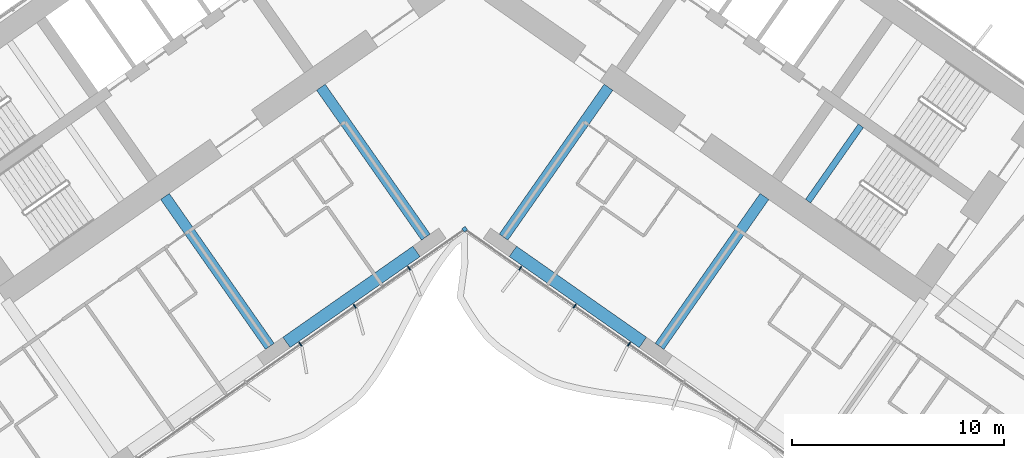
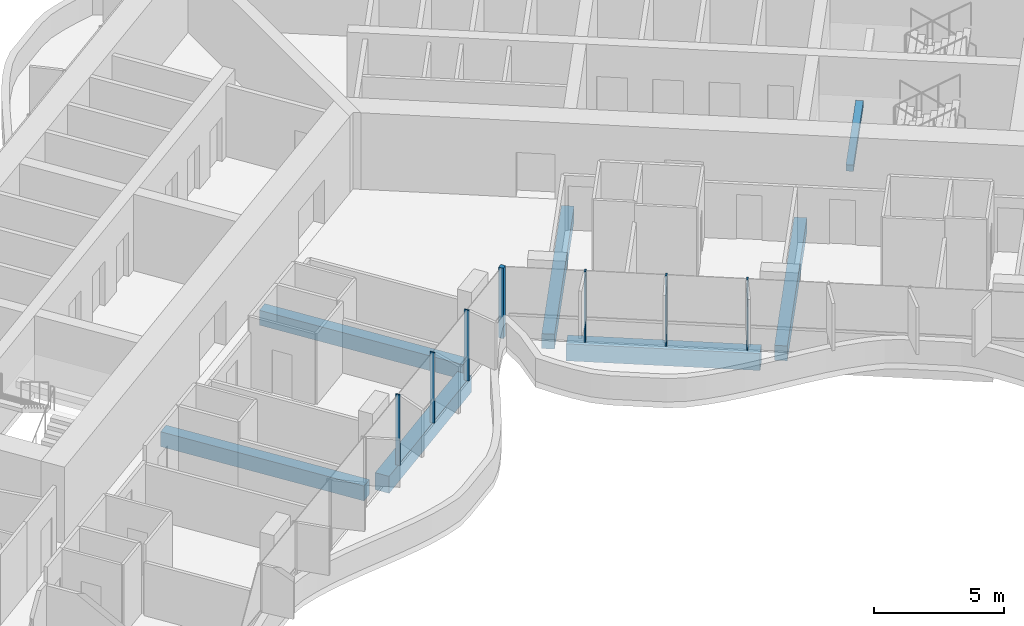
# One storey, part 6 of 25: 7 beams, 7 members, 1 element without a shape of its own.
"""IFC4 building model written with IfcOpenShell, lengths in metres."""

from ifc_helpers import new_model, si_unit, direction, frame, origin, origin_2d, place, context, subcontext, project, spatial, rectangle, extrude, material, material_profile, profile_set, type_object, element, aggregate, save


model = new_model("IFC4")

# Units and contexts
model_context = context("Model", 3, precision=1e-05, world=origin(), true_north=direction((0.0, 1.0)))
body_context = subcontext(model_context, "Body", "Model", "MODEL_VIEW")
ifc_project = project(units=[si_unit("LENGTHUNIT", "METRE"), si_unit("AREAUNIT", "SQUARE_METRE"), si_unit("VOLUMEUNIT", "CUBIC_METRE"), si_unit("PLANEANGLEUNIT", "RADIAN"), si_unit("MASSUNIT", "GRAM", prefix="KILO")], contexts=[model_context])

# Site, building, storey
site_placement = place(None, origin())
site = spatial("IfcSite", under=ifc_project, at=site_placement, CompositionType="ELEMENT")
building_placement = place(site_placement, origin())
building = spatial("IfcBuilding", under=site, at=building_placement, Name="Tel Ilan Convention Tower", CompositionType="ELEMENT")
storey_placement = place(building_placement, frame((0.0, 0.0, 58.10009765625)))
storey = spatial("IfcBuildingStorey", under=building, at=storey_placement, Name="L09", CompositionType="ELEMENT", Elevation=58.10009765625)

# Beams
ifc_material_1 = material(Name="Concrete C40/50", Category="concrete")
ifc_material_profile_1 = material_profile(ifc_material_1, rectangle(XDim=0.5, YDim=0.699951171875, at=origin_2d()), Name="RC 500x700")
ifc_profile_set_1 = profile_set([ifc_material_profile_1], Name="Concrete C40/50")
beam_type_1 = type_object("IfcBeamType", Name="Beam RC 500x700 Concrete C40/50", PredefinedType="BEAM", material=ifc_profile_set_1)
for number, where, z_axis, x_axis, name in (
    (1, (-1.83740234375, -13.06689453125, -0.630126953125), (-0.573574099654, 0.819153680457, 0.0), (-0.819153680457, -0.573574099654, 0.0), "L09 beam W-W-F1-core"),
    (2, (-9.209716796875, -18.229248046875, -0.630126953125), (-0.573574099654, 0.819153680457, 0.0), (-0.819153680457, -0.573574099654, 0.0), "L09 beam W-W-F2-core"),
    (3, (1.83740234375, -13.06689453125, -0.630126953125), (0.573574099654, 0.819153680457, 0.0), (-0.819153680457, 0.573574099654, 0.0), "L09 beam E-E-F1-core"),
    (4, (9.209716796875, -18.229248046875, -0.630126953125), (0.573574099654, 0.819153680457, 0.0), (-0.819153680457, 0.573574099654, 0.0), "L09 beam E-E-F2-core"),
):
    element("IfcBeam", number, at=place(storey_placement, frame(where, z_axis=z_axis, x_axis=x_axis)), inside=storey, type_object=beam_type_1, Name=name, PredefinedType="BEAM", context=body_context, shape_type="SweptSolid", body=[
        extrude(rectangle(XDim=0.5, YDim=0.699951171875, at=origin_2d()), origin(), (0.0, 0.0, 1.0), 8.64990234375),
    ])
ifc_material_2 = material(Name="Concrete C40/50", Category="concrete")
ifc_material_profile_2 = material_profile(ifc_material_2, rectangle(XDim=0.60009765625, YDim=0.800048828125, at=origin_2d()), Name="RC 600x800")
ifc_profile_set_2 = profile_set([ifc_material_profile_2], Name="Concrete C40/50")
beam_type_2 = type_object("IfcBeamType", Name="Beam RC 600x800 Concrete C40/50", PredefinedType="BEAM", material=ifc_profile_set_2)
for number, where, z_axis, x_axis, name in (
    (5, (-2.279541015625, -13.742919921875, -0.68017578125), (-0.819147803225, -0.57358249317, 0.0), (0.57358249317, -0.819147803225, 0.0), "L09 beam W-W-F1-W-F2"),
    (6, (2.279541015625, -13.742919921875, -0.68017578125), (0.819147803225, -0.57358249317, 0.0), (0.57358249317, 0.819147803225, 0.0), "L09 beam E-E-F1-E-F2"),
):
    element("IfcBeam", number, at=place(storey_placement, frame(where, z_axis=z_axis, x_axis=x_axis)), inside=storey, type_object=beam_type_2, Name=name, PredefinedType="BEAM", context=body_context, shape_type="SweptSolid", body=[
        extrude(rectangle(XDim=0.60009765625, YDim=0.800048828125, at=origin_2d()), origin(), (0.0, 0.0, 1.0), 7.500244140625),
    ])

# Curtain wall, members
ifc_material_3 = material(Name="Aluminium, bronze anodised", Category="aluminium")
curtain_wall_type = type_object("IfcCurtainWallType", Name="CW1 UNITISED CURTAIN WALL, HOTEL TINTED GLASS", PredefinedType="NOTDEFINED", material=ifc_material_3)
curtain_wall_placement = place(storey_placement, origin())
curtain_wall = element("IfcCurtainWall", 7, at=curtain_wall_placement, inside=storey, type_object=curtain_wall_type, Name="Curtain wall CW1-11.02", PredefinedType="NOTDEFINED")
ifc_material_4 = material(Name="Aluminium, bronze anodised", Category="aluminium")
ifc_material_profile_3 = material_profile(ifc_material_4, rectangle(XDim=0.199951171875, YDim=0.199951171875, at=origin_2d()), Name="CW CORNER MULLION 200x200")
ifc_profile_set_3 = profile_set([ifc_material_profile_3], Name="Aluminium, bronze anodised")
member_type_1 = type_object("IfcMemberType", Name="CW CORNER MULLION 200x200", PredefinedType="MULLION", material=ifc_profile_set_3)
member_1_placement = place(storey_placement, frame((0.0, -12.696044921875, 0.0), z_axis=(0.0, 0.0, 1.0), x_axis=(0.819152044289, 0.573576436351, 0.0)))
member_1 = element("IfcMember", 8, at=member_1_placement, type_object=member_type_1, Name="Corner mullion", PredefinedType="MULLION", context=body_context, shape_type="SweptSolid", body=[
    extrude(rectangle(XDim=0.199951171875, YDim=0.199951171875, at=origin_2d()), origin(), (0.0, 0.0, 1.0), 3.31982421875),
])
ifc_material_5 = material(Name="Aluminium, bronze anodised", Category="aluminium")
ifc_material_profile_4 = material_profile(ifc_material_5, rectangle(XDim=0.06005859375, YDim=0.199951171875, at=origin_2d()), Name="CW MULLION 60x200")
ifc_profile_set_4 = profile_set([ifc_material_profile_4], Name="Aluminium, bronze anodised")
member_type_2 = type_object("IfcMemberType", Name="CW MULLION 60x200", PredefinedType="MULLION", material=ifc_profile_set_4)
member_2_placement = place(storey_placement, frame((-7.76708984375, -18.134765625, 0.0), z_axis=(0.0, 0.0, 1.0), x_axis=(0.819152044289, 0.573576436351, 0.0)))
member_2 = element("IfcMember", 9, at=member_2_placement, type_object=member_type_2, Name="Mullion", PredefinedType="MULLION", context=body_context, shape_type="SweptSolid", body=[
    extrude(rectangle(XDim=0.06005859375, YDim=0.199951171875, at=origin_2d()), origin(), (0.0, 0.0, 1.0), 3.31982421875),
])
member_3_placement = place(storey_placement, frame((-5.197265625, -16.335205078125, 0.0), z_axis=(0.0, 0.0, 1.0), x_axis=(0.819152044289, 0.573576436351, 0.0)))
member_3 = element("IfcMember", 10, at=member_3_placement, type_object=member_type_2, Name="Mullion", PredefinedType="MULLION", context=body_context, shape_type="SweptSolid", body=[
    extrude(rectangle(XDim=0.06005859375, YDim=0.199951171875, at=origin_2d()), origin(), (0.0, 0.0, 1.0), 3.31982421875),
])
member_4_placement = place(storey_placement, frame((-2.627197265625, -14.53564453125, 0.0), z_axis=(0.0, 0.0, 1.0), x_axis=(0.819152044289, 0.573576436351, 0.0)))
member_4 = element("IfcMember", 11, at=member_4_placement, type_object=member_type_2, Name="Mullion", PredefinedType="MULLION", context=body_context, shape_type="SweptSolid", body=[
    extrude(rectangle(XDim=0.06005859375, YDim=0.199951171875, at=origin_2d()), origin(), (0.0, 0.0, 1.0), 3.31982421875),
])
member_5_placement = place(storey_placement, frame((2.627197265625, -14.53564453125, 0.0), z_axis=(0.0, 0.0, 1.0), x_axis=(0.819152044289, -0.573576436351, 0.0)))
member_5 = element("IfcMember", 12, at=member_5_placement, type_object=member_type_2, Name="Mullion", PredefinedType="MULLION", context=body_context, shape_type="SweptSolid", body=[
    extrude(rectangle(XDim=0.06005859375, YDim=0.199951171875, at=origin_2d()), origin(), (0.0, 0.0, 1.0), 3.31982421875),
])
member_6_placement = place(storey_placement, frame((5.197265625, -16.335205078125, 0.0), z_axis=(0.0, 0.0, 1.0), x_axis=(0.819152044289, -0.573576436351, 0.0)))
member_6 = element("IfcMember", 13, at=member_6_placement, type_object=member_type_2, Name="Mullion", PredefinedType="MULLION", context=body_context, shape_type="SweptSolid", body=[
    extrude(rectangle(XDim=0.06005859375, YDim=0.199951171875, at=origin_2d()), origin(), (0.0, 0.0, 1.0), 3.31982421875),
])
member_7_placement = place(storey_placement, frame((7.76708984375, -18.134765625, 0.0), z_axis=(0.0, 0.0, 1.0), x_axis=(0.819152044289, -0.573576436351, 0.0)))
member_7 = element("IfcMember", 14, at=member_7_placement, type_object=member_type_2, Name="Mullion", PredefinedType="MULLION", context=body_context, shape_type="SweptSolid", body=[
    extrude(rectangle(XDim=0.06005859375, YDim=0.199951171875, at=origin_2d()), origin(), (0.0, 0.0, 1.0), 3.31982421875),
])
aggregate(curtain_wall, [member_2, member_3, member_4, member_1, member_5, member_6, member_7])

# Beam
ifc_material_6 = material(Name="Concrete C40/50", Category="concrete")
ifc_material_profile_5 = material_profile(ifc_material_6, rectangle(XDim=0.300048828125, YDim=0.300048828125, at=origin_2d()), Name="RC 300x300")
ifc_profile_set_5 = profile_set([ifc_material_profile_5], Name="Concrete C40/50")
beam_type_3 = type_object("IfcBeamType", Name="Landing Beam RC 300x300 Concrete C40/50", PredefinedType="BEAM", material=ifc_profile_set_5)
beam_placement = place(storey_placement, frame((18.726806640625, -7.80224609375, 1.449951171875), z_axis=(-0.573594173421, -0.819139624372, 0.0), x_axis=(0.819139624372, -0.573594173421, 0.0)))
element("IfcBeam", 15, at=beam_placement, inside=storey, type_object=beam_type_3, Name="S4 landing beam L09.1", PredefinedType="BEAM", context=body_context, shape_type="SweptSolid", body=[
    extrude(rectangle(XDim=0.300048828125, YDim=0.300048828125, at=origin_2d()), origin(), (0.0, 0.0, 1.0), 4.349853515625),
])

save(model, "model.ifc")
